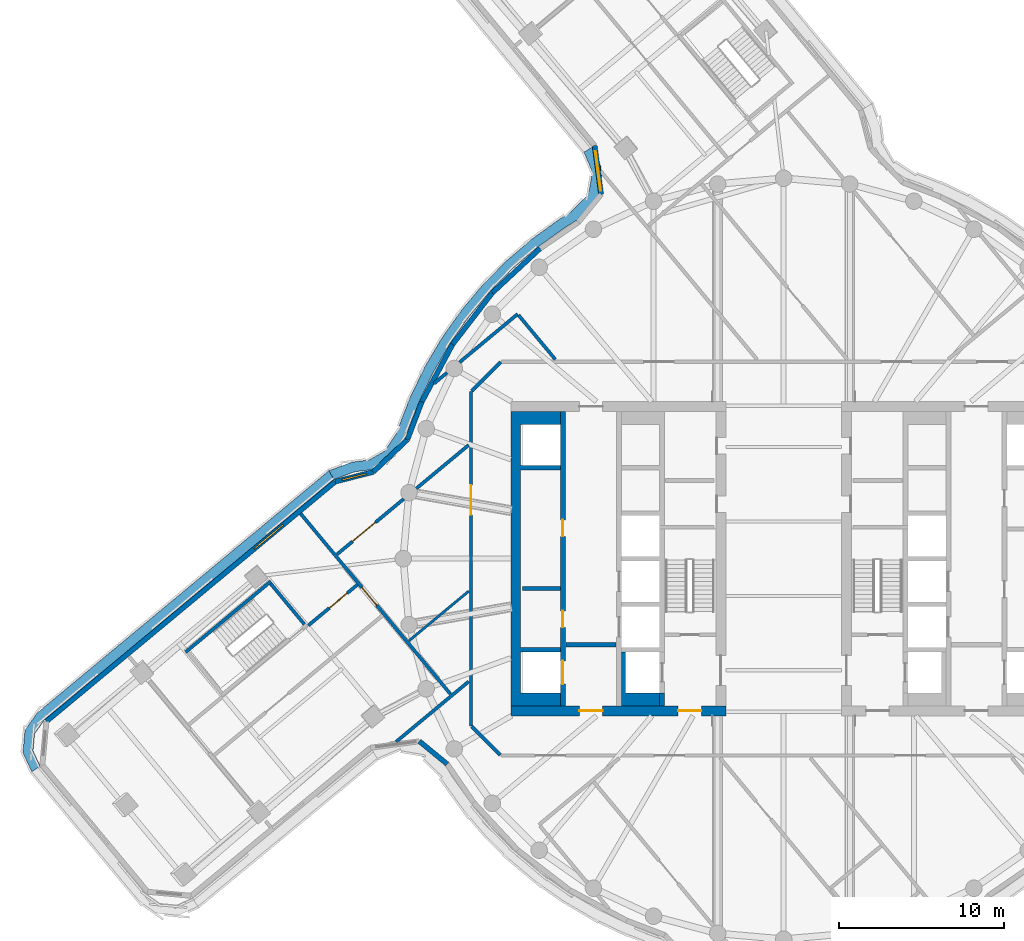
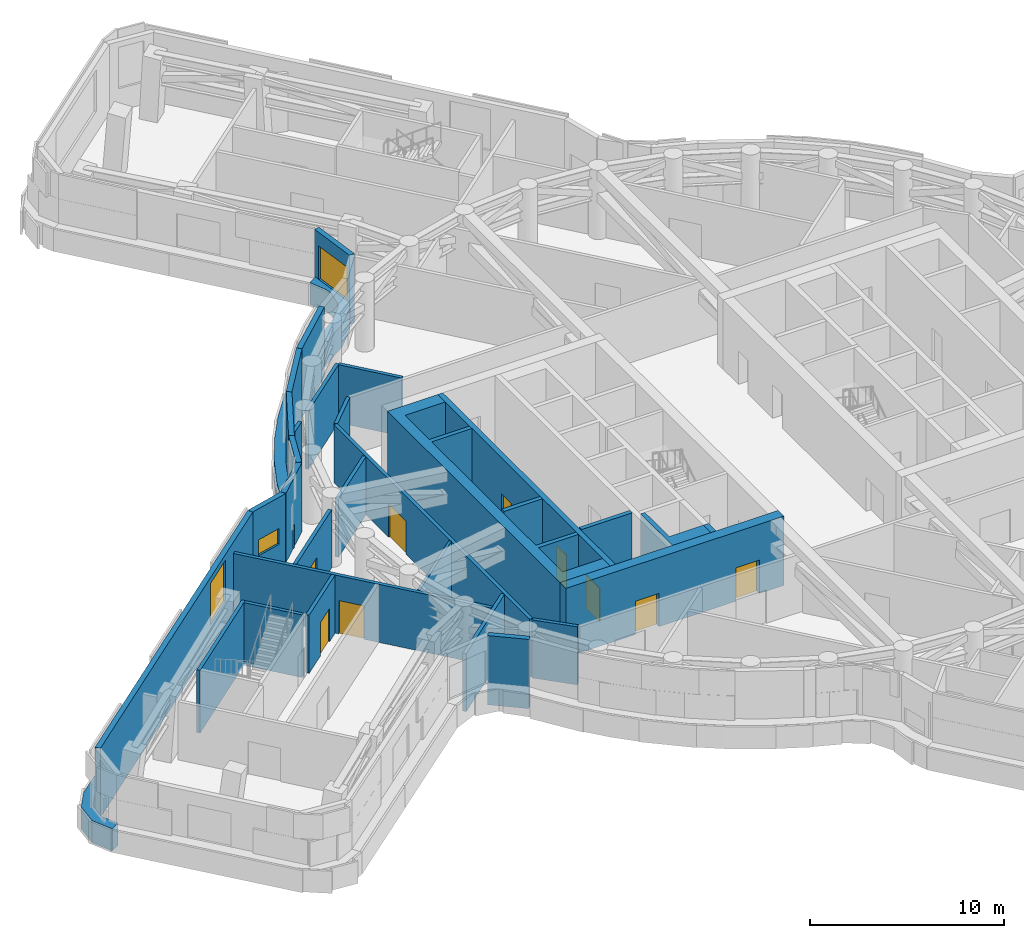
# One storey, part 9 of 22: 30 walls, 9 doors, 3 windows, 2 members, 12 openings.
"""IFC4 building model written with IfcOpenShell, lengths in metres."""

from ifc_helpers import new_model, si_unit, direction, frame, frame_2d, origin, place, context, subcontext, project, spatial, polyline, rectangle, outline, extrude, material, layer, layer_set, type_object, element, fill, aggregate, save


model = new_model("IFC4")

# Units and contexts
model_context = context("Model", 3, precision=1e-05, world=origin(), true_north=direction((0.0, 1.0)))
body_context = subcontext(model_context, "Body", "Model", "MODEL_VIEW")
ifc_project = project(units=[si_unit("LENGTHUNIT", "METRE"), si_unit("AREAUNIT", "SQUARE_METRE"), si_unit("VOLUMEUNIT", "CUBIC_METRE"), si_unit("PLANEANGLEUNIT", "RADIAN"), si_unit("MASSUNIT", "GRAM", prefix="KILO")], contexts=[model_context])

# Member
ifc_material_1 = material(Name="Aluminium and insulated spandrel panel", Category="aluminium")
member_type = type_object("IfcMemberType", Name="Floor-edge blade transom", PredefinedType="USERDEFINED", material=ifc_material_1)
site_placement = place(None, origin())
building_placement = place(site_placement, origin())
storey_placement = place(building_placement, frame((0.0, 0.0, 178.0)))
member_1_placement = place(storey_placement, origin())
member_1 = element("IfcMember", 1, at=member_1_placement, type_object=member_type, Name="CWT-L44-14", ObjectType="TRANSOM", PredefinedType="USERDEFINED", context=body_context, shape_type="SweptSolid", body=[
    extrude(outline(polyline([(-11.555419921875, 24.895263671875), (-11.05517578125, 23.729248046875), (-10.989990234375, 23.177490234375), (-11.180419921875, 22.070556640625), (-11.426025390625, 21.572021484375), (-12.508544921875, 20.46044921875), (-13.2109375, 20.031982421875), (-14.820068359375, 18.87255859375), (-16.327880859375, 17.584228515625), (-17.72412109375, 16.17578125), (-18.99951171875, 14.656982421875), (-20.14501953125, 13.0380859375), (-21.15283203125, 11.329833984375), (-22.01611328125, 9.54443359375), (-22.703857421875, 7.7724609375), (-22.8828125, 7.268798828125), (-23.691162109375, 6.056640625), (-24.85693359375, 5.391357421875), (-25.955322265625, 5.250732421875), (-27.18896484375, 4.7900390625), (-27.494140625, 5.316650390625), (-26.100341796875, 5.837158203125), (-25.051025390625, 5.971435546875), (-24.11181640625, 6.50732421875), (-23.42333984375, 7.539794921875), (-23.266357421875, 7.9814453125), (-22.566650390625, 9.783935546875), (-21.68212890625, 11.613525390625), (-20.64892578125, 13.3642578125), (-19.474853515625, 15.023681640625), (-18.167724609375, 16.580810546875), (-16.736572265625, 18.0244140625), (-15.19091796875, 19.344970703125), (-13.54296875, 20.5322265625), (-12.885498046875, 20.93310546875), (-11.922119140625, 21.922607421875), (-11.757080078125, 22.2578125), (-11.59619140625, 23.193359375), (-11.640869140625, 23.572509765625), (-12.072998046875, 24.57958984375), (-11.555419921875, 24.895263671875)])), origin(), (0.0, 0.0, 1.0), 1.39990234375),
])

member_2_placement = place(storey_placement, origin())
member_2 = element("IfcMember", 2, at=member_2_placement, type_object=member_type, Name="CWT-L44-15", ObjectType="TRANSOM", PredefinedType="USERDEFINED", context=body_context, shape_type="SweptSolid", body=[
    extrude(outline(polyline([(-27.18896484375, 4.7900390625), (-44.683349609375, -9.7353515625), (-45.281494140625, -10.580322265625), (-45.377197265625, -11.611083984375), (-44.9443359375, -12.5517578125), (-45.45654296875, -12.874267578125), (-45.989501953125, -11.7158203125), (-45.864013671875, -10.36474609375), (-45.12744140625, -9.32421875), (-27.494140625, 5.316650390625), (-27.18896484375, 4.7900390625)])), origin(), (0.0, 0.0, 1.0), 1.39990234375),
])

# Site, building, storey
site = spatial("IfcSite", under=ifc_project, at=site_placement, CompositionType="ELEMENT")
building = spatial("IfcBuilding", under=site, at=building_placement, Name="Tamarind Cross Interchange Tower", CompositionType="ELEMENT")
storey = spatial("IfcBuildingStorey", under=building, at=storey_placement, Name="L44", CompositionType="ELEMENT", Elevation=178.0)

# Wall, openings, doors
ifc_material_2 = material(Name="Concrete C60", Category="concrete")
ifc_layer_1 = layer(ifc_material_2, 0.60009765625)
ifc_layer_set_1 = layer_set([ifc_layer_1], Name="Concrete C60")
wall_type_1 = type_object("IfcWallType", Name="Core wall 600 mm Concrete C60", PredefinedType="SHEAR", material=ifc_layer_set_1)
wall_1_placement = place(storey_placement, frame((-16.5, -9.199951171875, 0.0), z_axis=(0.0, 0.0, 1.0), x_axis=(1.0, 0.0, 0.0)))
wall_1 = element("IfcWall", 3, at=wall_1_placement, inside=storey, type_object=wall_type_1, Name="Core wall CWL-L44-W-S", PredefinedType="SHEAR", context=body_context, shape_type="SweptSolid", body=[
    extrude(rectangle(XDim=13.0, YDim=0.60009765625, at=frame_2d((6.5, 0.0))), origin(), (0.0, 0.0, 1.0), 4.360107421875),
])
opening_1_placement = place(wall_1_placement, frame((4.14990234375, 0.0, 0.0)))
opening_1 = element("IfcOpeningElement", 4, at=opening_1_placement, cuts=wall_1, Name="Opening DCW1", PredefinedType="OPENING", context=body_context, shape_type="SweptSolid", body=[
    extrude(rectangle(XDim=1.39990234375, YDim=2.10009765625, at=frame_2d((0.699951171875, 1.050048828125))), frame((0.0, 0.31005859375, 0.0), z_axis=(0.0, -1.0, 0.0), x_axis=(1.0, 0.0, 0.0)), (0.0, 0.0, 1.0), 0.6201171875),
])
opening_2_placement = place(wall_1_placement, frame((10.125, 0.0, 0.0)))
opening_2 = element("IfcOpeningElement", 5, at=opening_2_placement, cuts=wall_1, Name="Opening DCWF", PredefinedType="OPENING", context=body_context, shape_type="SweptSolid", body=[
    extrude(rectangle(XDim=1.39990234375, YDim=2.10009765625, at=frame_2d((0.699951171875, 1.050048828125))), frame((0.0, 0.31005859375, 0.0), z_axis=(0.0, -1.0, 0.0), x_axis=(1.0, 0.0, 0.0)), (0.0, 0.0, 1.0), 0.6201171875),
])
ifc_material_3 = material(Name="Steel, fire-resisting", Category="steel")
door_type_1 = type_object("IfcDoorType", Name="Core fire door 1400 x 2100 FD90", OperationType="SINGLE_SWING_LEFT", PredefinedType="DOOR", material=ifc_material_3)
door_1_placement = place(opening_1_placement, origin())
door_1 = element("IfcDoor", 6, at=door_1_placement, inside=storey, type_object=door_type_1, Name="L44 lift lobby door", OperationType="SINGLE_SWING_LEFT", OverallHeight=2.10009765625, OverallWidth=1.39990234375, PredefinedType="DOOR", context=body_context, shape_type="SweptSolid", body=[
    extrude(rectangle(XDim=1.39990234375, YDim=2.10009765625, at=frame_2d((0.699951171875, 1.050048828125))), frame((0.0, 0.02490234375, 0.0), z_axis=(0.0, -1.0, 0.0), x_axis=(1.0, 0.0, 0.0)), (0.0, 0.0, 1.0), 0.050048828125),
])
fill(opening_1, door_1)
door_2_placement = place(opening_2_placement, origin())
door_2 = element("IfcDoor", 7, at=door_2_placement, inside=storey, type_object=door_type_1, Name="L44 firefighting lobby end door", OperationType="SINGLE_SWING_LEFT", OverallHeight=2.10009765625, OverallWidth=1.39990234375, PredefinedType="DOOR", context=body_context, shape_type="SweptSolid", body=[
    extrude(rectangle(XDim=1.39990234375, YDim=2.10009765625, at=frame_2d((0.699951171875, 1.050048828125))), frame((0.0, 0.02490234375, 0.0), z_axis=(0.0, -1.0, 0.0), x_axis=(1.0, 0.0, 0.0)), (0.0, 0.0, 1.0), 0.050048828125),
])
fill(opening_2, door_2)

# Walls
wall_2_placement = place(storey_placement, origin())
element("IfcWall", 8, at=wall_2_placement, inside=storey, type_object=wall_type_1, Name="Core wall CWL-L44-W-A", PredefinedType="SHEAR", context=body_context, shape_type="SweptSolid", body=[
    extrude(outline(polyline([(-13.5, -8.125), (-15.89990234375, -8.125), (-15.89990234375, -5.625), (-13.5, -5.625), (-13.5, -5.375), (-15.89990234375, -5.375), (-15.89990234375, 5.375), (-13.5, 5.375), (-13.5, 5.625), (-15.89990234375, 5.625), (-15.89990234375, 8.125), (-13.5, 8.125), (-13.5, 8.89990234375), (-15.89990234375, 8.89990234375), (-16.5, 8.89990234375), (-16.5, -8.89990234375), (-15.89990234375, -8.89990234375), (-13.5, -8.89990234375), (-13.5, -8.125)])), origin(), (0.0, 0.0, 1.0), 4.360107421875),
])
ifc_layer_2 = layer(ifc_material_2, 0.300048828125)
ifc_layer_set_2 = layer_set([ifc_layer_2], Name="Concrete C60")
wall_type_2 = type_object("IfcWallType", Name="Core web wall 300 mm Concrete C60", PredefinedType="SHEAR", material=ifc_layer_set_2)
wall_3_placement = place(storey_placement, origin())
element("IfcWall", 9, at=wall_3_placement, inside=storey, type_object=wall_type_2, Name="Core wall CWL-L44-W-BS", PredefinedType="SHEAR", context=body_context, shape_type="SweptSolid", body=[
    extrude(outline(polyline([(-7.5, -8.125), (-9.550048828125, -8.125), (-9.550048828125, -5.625), (-9.800048828125, -5.625), (-9.800048828125, -8.125), (-9.800048828125, -8.89990234375), (-7.5, -8.89990234375), (-7.5, -8.125)])), origin(), (0.0, 0.0, 1.0), 4.360107421875),
])
wall_4_placement = place(storey_placement, frame((-7.35009765625, -8.89990234375, 0.0), z_axis=(0.0, 0.0, 1.0), x_axis=(0.0, 1.0, 0.0)))
element("IfcWall", 10, at=wall_4_placement, inside=storey, type_object=wall_type_2, Name="Core wall CWL-L44-W-BW", PredefinedType="SHEAR", context=body_context, shape_type="SweptSolid", body=[
    extrude(rectangle(XDim=0.77490234375, YDim=0.300048828125, at=frame_2d((0.387451171875, 0.0))), origin(), (0.0, 0.0, 1.0), 4.360107421875),
])

# Wall, openings, doors
wall_5_placement = place(storey_placement, frame((-13.35009765625, -8.89990234375, 0.0), z_axis=(0.0, 0.0, 1.0), x_axis=(0.0, 1.0, 0.0)))
wall_5 = element("IfcWall", 11, at=wall_5_placement, inside=storey, type_object=wall_type_2, Name="Core wall CWL-L44-W-LA", PredefinedType="SHEAR", context=body_context, shape_type="SweptSolid", body=[
    extrude(rectangle(XDim=17.7998046875, YDim=0.300048828125, at=frame_2d((8.89990234375, 0.0))), origin(), (0.0, 0.0, 1.0), 4.360107421875),
])
opening_3_placement = place(wall_5_placement, frame((1.324951171875, 0.0, 0.0)))
opening_3 = element("IfcOpeningElement", 12, at=opening_3_placement, cuts=wall_5, Name="Opening LD1L44", PredefinedType="OPENING", context=body_context, shape_type="SweptSolid", body=[
    extrude(rectangle(XDim=1.39990234375, YDim=2.10009765625, at=frame_2d((0.699951171875, 1.050048828125))), frame((0.0, 0.159912109375, 0.0), z_axis=(0.0, -1.0, 0.0), x_axis=(1.0, 0.0, 0.0)), (0.0, 0.0, 1.0), 0.320068359375),
])
opening_4_placement = place(wall_5_placement, frame((4.75390625, 0.0, 0.0)))
opening_4 = element("IfcOpeningElement", 13, at=opening_4_placement, cuts=wall_5, Name="Opening DCW9", PredefinedType="OPENING", context=body_context, shape_type="SweptSolid", body=[
    extrude(rectangle(XDim=1.0, YDim=2.10009765625, at=frame_2d((0.5, 1.050048828125))), frame((0.0, 0.159912109375, 0.0), z_axis=(0.0, -1.0, 0.0), x_axis=(1.0, 0.0, 0.0)), (0.0, 0.0, 1.0), 0.320068359375),
])
opening_5_placement = place(wall_5_placement, frame((10.25390625, 0.0, 0.0)))
opening_5 = element("IfcOpeningElement", 14, at=opening_5_placement, cuts=wall_5, Name="Opening DCW10", PredefinedType="OPENING", context=body_context, shape_type="SweptSolid", body=[
    extrude(rectangle(XDim=1.0, YDim=2.10009765625, at=frame_2d((0.5, 1.050048828125))), frame((0.0, 0.159912109375, 0.0), z_axis=(0.0, -1.0, 0.0), x_axis=(1.0, 0.0, 0.0)), (0.0, 0.0, 1.0), 0.320068359375),
])
door_type_2 = type_object("IfcDoorType", Name="Core fire door 1000 x 2100 FD90", OperationType="SINGLE_SWING_LEFT", PredefinedType="DOOR", material=ifc_material_3)
door_3_placement = place(opening_4_placement, origin())
door_3 = element("IfcDoor", 15, at=door_3_placement, inside=storey, type_object=door_type_2, Name="L44 Refuge battery room door", OperationType="SINGLE_SWING_LEFT", OverallHeight=2.10009765625, OverallWidth=1.0, PredefinedType="DOOR", context=body_context, shape_type="SweptSolid", body=[
    extrude(rectangle(XDim=1.0, YDim=2.10009765625, at=frame_2d((0.5, 1.050048828125))), frame((0.0, 0.02490234375, 0.0), z_axis=(0.0, -1.0, 0.0), x_axis=(1.0, 0.0, 0.0)), (0.0, 0.0, 1.0), 0.050048828125),
])
fill(opening_4, door_3)
door_4_placement = place(opening_5_placement, origin())
door_4 = element("IfcDoor", 16, at=door_4_placement, inside=storey, type_object=door_type_2, Name="L44 Refuge switch room door", OperationType="SINGLE_SWING_LEFT", OverallHeight=2.10009765625, OverallWidth=1.0, PredefinedType="DOOR", context=body_context, shape_type="SweptSolid", body=[
    extrude(rectangle(XDim=1.0, YDim=2.10009765625, at=frame_2d((0.5, 1.050048828125))), frame((0.0, 0.02490234375, 0.0), z_axis=(0.0, -1.0, 0.0), x_axis=(1.0, 0.0, 0.0)), (0.0, 0.0, 1.0), 0.050048828125),
])
fill(opening_5, door_4)
ifc_material_4 = material(Name="Stainless steel panel", Category="steel")
door_type_3 = type_object("IfcDoorType", Name="Lift landing door 1400 x 2100 E 120", OperationType="SLIDING_TO_LEFT", PredefinedType="DOOR", material=ifc_material_4)
door_5_placement = place(opening_3_placement, origin())
door_5 = element("IfcDoor", 17, at=door_5_placement, inside=storey, type_object=door_type_3, Name="L44 landing door LF1", OperationType="SLIDING_TO_LEFT", OverallHeight=2.10009765625, OverallWidth=1.39990234375, PredefinedType="DOOR", context=body_context, shape_type="SweptSolid", body=[
    extrude(rectangle(XDim=1.39990234375, YDim=2.10009765625, at=frame_2d((0.699951171875, 1.050048828125))), frame((0.0, 0.02490234375, 0.0), z_axis=(0.0, -1.0, 0.0), x_axis=(1.0, 0.0, 0.0)), (0.0, 0.0, 1.0), 0.050048828125),
])
fill(opening_3, door_5)

# Wall
ifc_material_5 = material(Name="Gypsum board partition on steel studs", Category="steel")
ifc_layer_3 = layer(ifc_material_5, 0.14990234375)
ifc_layer_set_3 = layer_set([ifc_layer_3], Name="Gypsum board partition on steel studs")
wall_type_3 = type_object("IfcWallType", Name="Partition 150 mm EI 120", PredefinedType="PARTITIONING", material=ifc_layer_set_3)
wall_6_placement = place(storey_placement, frame((-22.65966796875, -4.96630859375, 0.0), z_axis=(0.0, 0.0, 1.0), x_axis=(0.769407964323, 0.638757688358, 0.0)))
element("IfcWall", 18, at=wall_6_placement, inside=storey, type_object=wall_type_3, Name="Partition L44-044", PredefinedType="PARTITIONING", context=body_context, shape_type="SweptSolid", body=[
    extrude(rectangle(XDim=4.716552734375, YDim=0.14990234375, at=frame_2d((2.3583984375, 0.0))), origin(), (0.0, 0.0, 1.0), 3.659912109375),
])

# Wall, opening, door
ifc_layer_4 = layer(ifc_material_5, 0.199951171875)
ifc_layer_set_4 = layer_set([ifc_layer_4], Name="Gypsum board partition on steel studs")
wall_type_4 = type_object("IfcWallType", Name="Partition 200 mm EI 180", PredefinedType="PARTITIONING", material=ifc_layer_set_4)
wall_7_placement = place(storey_placement, frame((-29.203369140625, 2.726318359375, 0.0), z_axis=(0.0, 0.0, 1.0), x_axis=(0.638906529765, -0.769284372793, 0.0)))
wall_7 = element("IfcWall", 19, at=wall_7_placement, inside=storey, type_object=wall_type_4, Name="Partition L44-004", PredefinedType="PARTITIONING", context=body_context, shape_type="SweptSolid", body=[
    extrude(rectangle(XDim=14.178955078125, YDim=0.199951171875, at=frame_2d((7.08935546875, 0.0))), origin(), (0.0, 0.0, 1.0), 3.659912109375),
])
opening_6_placement = place(wall_7_placement, frame((5.799072265625, 0.0, 0.0)))
opening_6 = element("IfcOpeningElement", 20, at=opening_6_placement, cuts=wall_7, Name="Opening D02", PredefinedType="OPENING", context=body_context, shape_type="SweptSolid", body=[
    extrude(rectangle(XDim=1.39990234375, YDim=2.10009765625, at=frame_2d((0.699951171875, 1.050048828125))), frame((0.0, 0.10986328125, 0.0), z_axis=(0.0, -1.0, 0.0), x_axis=(1.0, 0.0, 0.0)), (0.0, 0.0, 1.0), 0.219970703125),
])
ifc_material_6 = material(Name="Fire-resisting door set")
door_type_4 = type_object("IfcDoorType", Name="Interior door 1400 x 2100 FD120S", OperationType="DOUBLE_DOOR_SINGLE_SWING", PredefinedType="DOOR", material=ifc_material_6)
door_6_placement = place(opening_6_placement, origin())
door_6 = element("IfcDoor", 21, at=door_6_placement, inside=storey, type_object=door_type_4, Name="Door D02", OperationType="DOUBLE_DOOR_SINGLE_SWING", OverallHeight=2.10009765625, OverallWidth=1.39990234375, PredefinedType="DOOR", context=body_context, shape_type="SweptSolid", body=[
    extrude(rectangle(XDim=1.39990234375, YDim=2.10009765625, at=frame_2d((0.699951171875, 1.050048828125))), frame((0.0, 0.02490234375, 0.0), z_axis=(0.0, -1.0, 0.0), x_axis=(1.0, 0.0, 0.0)), (0.0, 0.0, 1.0), 0.050048828125),
])
fill(opening_6, door_6)

# Walls
wall_8_placement = place(storey_placement, frame((-16.032958984375, 14.728515625, 0.0), z_axis=(0.0, 0.0, 1.0), x_axis=(0.638867992046, -0.769316377532, 0.0)))
element("IfcWall", 22, at=wall_8_placement, inside=storey, type_object=wall_type_4, Name="Partition L44-005", PredefinedType="PARTITIONING", context=body_context, shape_type="SweptSolid", body=[
    extrude(rectangle(XDim=3.48681640625, YDim=0.199951171875, at=frame_2d((1.743408203125, 0.0))), origin(), (0.0, 0.0, 1.0), 3.659912109375),
])
wall_9_placement = place(storey_placement, frame((-18.857666015625, -10.142333984375, 0.0), z_axis=(0.0, 0.0, 1.0), x_axis=(0.707106781187, -0.707106781187, 0.0)))
element("IfcWall", 23, at=wall_9_placement, inside=storey, type_object=wall_type_4, Name="Partition L44-032", PredefinedType="PARTITIONING", context=body_context, shape_type="SweptSolid", body=[
    extrude(rectangle(XDim=2.42578125, YDim=0.199951171875, at=frame_2d((1.212890625, 0.0))), origin(), (0.0, 0.0, 1.0), 3.659912109375),
])

# Wall, opening, door
wall_10_placement = place(storey_placement, frame((-28.736328125, -4.033203125, 0.0), z_axis=(0.0, 0.0, 1.0), x_axis=(0.769396979423, 0.638770919857, 0.0)))
wall_10 = element("IfcWall", 24, at=wall_10_placement, inside=storey, type_object=wall_type_4, Name="Partition L44-037", PredefinedType="PARTITIONING", context=body_context, shape_type="SweptSolid", body=[
    extrude(rectangle(XDim=3.859375, YDim=0.199951171875, at=frame_2d((1.9296875, 0.0))), origin(), (0.0, 0.0, 1.0), 3.659912109375),
])
opening_7_placement = place(wall_10_placement, frame((1.64990234375, 0.0, 0.0)))
opening_7 = element("IfcOpeningElement", 25, at=opening_7_placement, cuts=wall_10, Name="Opening D23", PredefinedType="OPENING", context=body_context, shape_type="SweptSolid", body=[
    extrude(rectangle(XDim=1.39990234375, YDim=2.10009765625, at=frame_2d((0.699951171875, 1.050048828125))), frame((0.0, 0.10986328125, 0.0), z_axis=(0.0, -1.0, 0.0), x_axis=(1.0, 0.0, 0.0)), (0.0, 0.0, 1.0), 0.219970703125),
])
door_7_placement = place(opening_7_placement, origin())
door_7 = element("IfcDoor", 26, at=door_7_placement, inside=storey, type_object=door_type_4, Name="Door D23", OperationType="DOUBLE_DOOR_SINGLE_SWING", OverallHeight=2.10009765625, OverallWidth=1.39990234375, PredefinedType="DOOR", context=body_context, shape_type="SweptSolid", body=[
    extrude(rectangle(XDim=1.39990234375, YDim=2.10009765625, at=frame_2d((0.699951171875, 1.050048828125))), frame((0.0, 0.02490234375, 0.0), z_axis=(0.0, -1.0, 0.0), x_axis=(1.0, 0.0, 0.0)), (0.0, 0.0, 1.0), 0.050048828125),
])
fill(opening_7, door_7)

wall_11_placement = place(storey_placement, frame((-27.003662109375, 0.2646484375, 0.0), z_axis=(0.0, 0.0, 1.0), x_axis=(0.769372329346, 0.638800609609, 0.0)))
wall_11 = element("IfcWall", 27, at=wall_11_placement, inside=storey, type_object=wall_type_4, Name="Partition L44-039", PredefinedType="PARTITIONING", context=body_context, shape_type="SweptSolid", body=[
    extrude(rectangle(XDim=5.24462890625, YDim=0.199951171875, at=frame_2d((2.622314453125, 0.0))), origin(), (0.0, 0.0, 1.0), 3.659912109375),
])
opening_8_placement = place(wall_11_placement, frame((1.22998046875, 0.0, 0.0)))
opening_8 = element("IfcOpeningElement", 28, at=opening_8_placement, cuts=wall_11, Name="Opening D25", PredefinedType="OPENING", context=body_context, shape_type="SweptSolid", body=[
    extrude(rectangle(XDim=1.800048828125, YDim=2.10009765625, at=frame_2d((0.89990234375, 1.050048828125))), frame((0.0, 0.10986328125, 0.0), z_axis=(0.0, -1.0, 0.0), x_axis=(1.0, 0.0, 0.0)), (0.0, 0.0, 1.0), 0.219970703125),
])
door_type_5 = type_object("IfcDoorType", Name="Interior door 1800 x 2100 FD120S", OperationType="DOUBLE_DOOR_SINGLE_SWING", PredefinedType="DOOR", material=ifc_material_6)
door_8_placement = place(opening_8_placement, origin())
door_8 = element("IfcDoor", 29, at=door_8_placement, inside=storey, type_object=door_type_5, Name="Door D25", OperationType="DOUBLE_DOOR_SINGLE_SWING", OverallHeight=2.10009765625, OverallWidth=1.800048828125, PredefinedType="DOOR", context=body_context, shape_type="SweptSolid", body=[
    extrude(rectangle(XDim=1.800048828125, YDim=2.10009765625, at=frame_2d((0.89990234375, 1.050048828125))), frame((0.0, 0.02490234375, 0.0), z_axis=(0.0, -1.0, 0.0), x_axis=(1.0, 0.0, 0.0)), (0.0, 0.0, 1.0), 0.050048828125),
])
fill(opening_8, door_8)

# Walls
wall_12_placement = place(storey_placement, frame((-22.208251953125, 4.246337890625, 0.0), z_axis=(0.0, 0.0, 1.0), x_axis=(0.7693983164, 0.63876930947, 0.0)))
element("IfcWall", 30, at=wall_12_placement, inside=storey, type_object=wall_type_4, Name="Partition L44-040", PredefinedType="PARTITIONING", context=body_context, shape_type="SweptSolid", body=[
    extrude(rectangle(XDim=4.10986328125, YDim=0.199951171875, at=frame_2d((2.054931640625, 0.0))), origin(), (0.0, 0.0, 1.0), 3.659912109375),
])
wall_13_placement = place(storey_placement, frame((-23.43701171875, -11.071044921875, 0.0), z_axis=(0.0, 0.0, 1.0), x_axis=(0.76936664452, 0.638807456359, 0.0)))
element("IfcWall", 31, at=wall_13_placement, inside=storey, type_object=wall_type_4, Name="Partition L44-041", PredefinedType="PARTITIONING", context=body_context, shape_type="SweptSolid", body=[
    extrude(rectangle(XDim=5.70703125, YDim=0.199951171875, at=frame_2d((2.853515625, 0.0))), origin(), (0.0, 0.0, 1.0), 3.659912109375),
])
wall_14_placement = place(storey_placement, frame((-21.14453125, 10.5888671875, 0.0), z_axis=(0.0, 0.0, 1.0), x_axis=(0.769471849362, 0.638680728565, 0.0)))
element("IfcWall", 32, at=wall_14_placement, inside=storey, type_object=wall_type_4, Name="Partition L44-042", PredefinedType="PARTITIONING", context=body_context, shape_type="SweptSolid", body=[
    extrude(rectangle(XDim=1.02294921875, YDim=0.199951171875, at=frame_2d((0.511474609375, 0.0))), origin(), (0.0, 0.0, 1.0), 3.659912109375),
])
wall_15_placement = place(storey_placement, frame((-19.59619140625, 11.874267578125, 0.0), z_axis=(0.0, 0.0, 1.0), x_axis=(0.769412364041, 0.638752388693, 0.0)))
element("IfcWall", 33, at=wall_15_placement, inside=storey, type_object=wall_type_4, Name="Partition L44-043", PredefinedType="PARTITIONING", context=body_context, shape_type="SweptSolid", body=[
    extrude(rectangle(XDim=4.564697265625, YDim=0.199951171875, at=frame_2d((2.2822265625, 0.0))), origin(), (0.0, 0.0, 1.0), 3.659912109375),
])
wall_16_placement = place(storey_placement, frame((-18.857666015625, 10.142333984375, 0.0), z_axis=(0.0, 0.0, 1.0), x_axis=(0.707106781187, 0.707106781187, 0.0)))
element("IfcWall", 34, at=wall_16_placement, inside=storey, type_object=wall_type_4, Name="Partition L44-068", PredefinedType="PARTITIONING", context=body_context, shape_type="SweptSolid", body=[
    extrude(rectangle(XDim=2.485595703125, YDim=0.199951171875, at=frame_2d((1.24267578125, 0.0))), origin(), (0.0, 0.0, 1.0), 3.659912109375),
])

# Wall, opening, door
wall_17_placement = place(storey_placement, frame((-18.89990234375, -10.10009765625, 0.0), z_axis=(0.0, 0.0, 1.0), x_axis=(0.0, 1.0, 0.0)))
wall_17 = element("IfcWall", 35, at=wall_17_placement, inside=storey, type_object=wall_type_4, Name="Partition L44-070", PredefinedType="PARTITIONING", context=body_context, shape_type="SweptSolid", body=[
    extrude(rectangle(XDim=20.2001953125, YDim=0.199951171875, at=frame_2d((10.10009765625, 0.0))), origin(), (0.0, 0.0, 1.0), 3.659912109375),
])
opening_9_placement = place(wall_17_placement, frame((12.7548828125, 0.0, 0.0)))
opening_9 = element("IfcOpeningElement", 36, at=opening_9_placement, cuts=wall_17, Name="Opening D34", PredefinedType="OPENING", context=body_context, shape_type="SweptSolid", body=[
    extrude(rectangle(XDim=1.800048828125, YDim=2.10009765625, at=frame_2d((0.89990234375, 1.050048828125))), frame((0.0, 0.10986328125, 0.0), z_axis=(0.0, -1.0, 0.0), x_axis=(1.0, 0.0, 0.0)), (0.0, 0.0, 1.0), 0.219970703125),
])
door_9_placement = place(opening_9_placement, frame((1.800048828125, 0.0, 0.0), z_axis=(0.0, 0.0, 1.0), x_axis=(-1.0, 0.0, 0.0)))
door_9 = element("IfcDoor", 37, at=door_9_placement, inside=storey, type_object=door_type_5, Name="Door D34", OperationType="DOUBLE_DOOR_SINGLE_SWING", OverallHeight=2.10009765625, OverallWidth=1.800048828125, PredefinedType="DOOR", context=body_context, shape_type="SweptSolid", body=[
    extrude(rectangle(XDim=1.800048828125, YDim=2.10009765625, at=frame_2d((0.89990234375, 1.050048828125))), frame((0.0, 0.02490234375, 0.0), z_axis=(0.0, -1.0, 0.0), x_axis=(1.0, 0.0, 0.0)), (0.0, 0.0, 1.0), 0.050048828125),
])
fill(opening_9, door_9)

# Wall
ifc_material_7 = material(Name="Precast concrete C40", Category="concrete")
ifc_layer_5 = layer(ifc_material_7, 0.300048828125)
ifc_layer_set_5 = layer_set([ifc_layer_5], Name="Precast concrete C40")
wall_type_5 = type_object("IfcWallType", Name="Plant louvre wall", PredefinedType="SOLIDWALL", material=ifc_layer_set_5)
wall_18_placement = place(storey_placement, frame((-22.023681640625, -11.0361328125, 0.0), z_axis=(0.0, 0.0, 1.0), x_axis=(0.773396617802, -0.633922449178, 0.0)))
element("IfcWall", 38, at=wall_18_placement, inside=storey, type_object=wall_type_5, Name="EXW-L44-02-01", PredefinedType="SOLIDWALL", context=body_context, shape_type="SweptSolid", body=[
    extrude(rectangle(XDim=2.174072265625, YDim=0.300048828125, at=frame_2d((1.0869140625, 0.0))), origin(), (0.0, 0.0, 1.0), 4.360107421875),
])

# Wall, opening, window
wall_19_placement = place(storey_placement, frame((-11.426025390625, 24.97412109375, 0.0), z_axis=(0.0, 0.0, 1.0), x_axis=(0.131008347573, -0.991381265138, 0.0)))
wall_19 = element("IfcWall", 39, at=wall_19_placement, inside=storey, type_object=wall_type_5, Name="EXW-L44-14-00", PredefinedType="SOLIDWALL", context=body_context, shape_type="SweptSolid", body=[
    extrude(rectangle(XDim=2.97607421875, YDim=0.300048828125, at=frame_2d((1.488037109375, 0.0))), origin(), (0.0, 0.0, 1.0), 4.360107421875),
])
opening_10_placement = place(wall_19_placement, frame((0.35009765625, 0.0, 1.39990234375)))
opening_10 = element("IfcOpeningElement", 40, at=opening_10_placement, cuts=wall_19, Name="Opening W3", PredefinedType="OPENING", context=body_context, shape_type="SweptSolid", body=[
    extrude(rectangle(XDim=2.39990234375, YDim=2.10009765625, at=frame_2d((1.199951171875, 1.050048828125))), frame((0.0, 0.159912109375, 0.0), z_axis=(0.0, -1.0, 0.0), x_axis=(1.0, 0.0, 0.0)), (0.0, 0.0, 1.0), 0.320068359375),
])
ifc_material_8 = material(Name="Aluminium and fire-resisting glass", Category="aluminium")
window_type_1 = type_object("IfcWindowType", Name="Refuge rescue window", PartitioningType="DOUBLE_PANEL_VERTICAL", PredefinedType="WINDOW", material=ifc_material_8)
window_1_placement = place(opening_10_placement, origin())
window_1 = element("IfcWindow", 41, at=window_1_placement, inside=storey, type_object=window_type_1, Name="RSW-L44-14-01", OverallHeight=2.10009765625, OverallWidth=2.39990234375, PartitioningType="SINGLE_PANEL", PredefinedType="WINDOW", context=body_context, shape_type="SweptSolid", body=[
    extrude(rectangle(XDim=2.39990234375, YDim=2.10009765625, at=frame_2d((1.199951171875, 1.050048828125))), frame((0.0, 0.030029296875, 0.0), z_axis=(0.0, -1.0, 0.0), x_axis=(1.0, 0.0, 0.0)), (0.0, 0.0, 1.0), 0.06005859375),
])
fill(opening_10, window_1)

aggregate(wall_19, [member_1])

# Walls
wall_20_placement = place(storey_placement, frame((-14.727294921875, 18.75439453125, 0.0), z_axis=(0.0, 0.0, 1.0), x_axis=(-0.732813362883, -0.680429698926, 0.0)))
element("IfcWall", 42, at=wall_20_placement, inside=storey, type_object=wall_type_5, Name="EXW-L44-14-03", PredefinedType="SOLIDWALL", context=body_context, shape_type="SweptSolid", body=[
    extrude(rectangle(XDim=3.938232421875, YDim=0.300048828125, at=frame_2d((1.96923828125, 0.0))), origin(), (0.0, 0.0, 1.0), 4.360107421875),
])
for number, where, z_axis, x_axis, name in (
    (43, (-17.61328125, 16.07470703125, 0.0), (0.0, 0.0, 1.0), (-0.610785688376, -0.79179596038, 0.0), "EXW-L44-14-04"),
    (44, (-20.018798828125, 12.956298828125, 0.0), (0.0, 0.0, 1.0), (-0.472180126088, -0.881502086513, 0.0), "EXW-L44-14-05"),
):
    element("IfcWall", number, at=place(storey_placement, frame(where, z_axis=z_axis, x_axis=x_axis)), inside=storey, type_object=wall_type_5, Name=name, PredefinedType="SOLIDWALL", context=body_context, shape_type="SweptSolid", body=[
        extrude(rectangle(XDim=3.9384765625, YDim=0.300048828125, at=frame_2d((1.96923828125, 0.0))), origin(), (0.0, 0.0, 1.0), 4.360107421875),
    ])
wall_21_placement = place(storey_placement, frame((-21.87841796875, 9.484619140625, 0.0), z_axis=(0.0, 0.0, 1.0), x_axis=(-0.355729376875, -0.934589006156, 0.0)))
element("IfcWall", 45, at=wall_21_placement, inside=storey, type_object=wall_type_5, Name="EXW-L44-14-06", PredefinedType="SOLIDWALL", context=body_context, shape_type="SweptSolid", body=[
    extrude(rectangle(XDim=2.443359375, YDim=0.300048828125, at=frame_2d((1.2216796875, 0.0))), origin(), (0.0, 0.0, 1.0), 4.360107421875),
])
wall_22_placement = place(storey_placement, frame((-22.74755859375, 7.201171875, 0.0), z_axis=(0.0, 0.0, 1.0), x_axis=(-0.725512114768, -0.68820939497, 0.0)))
element("IfcWall", 46, at=wall_22_placement, inside=storey, type_object=wall_type_5, Name="EXW-L44-14-07", PredefinedType="SOLIDWALL", context=body_context, shape_type="SweptSolid", body=[
    extrude(rectangle(XDim=2.840576171875, YDim=0.300048828125, at=frame_2d((1.42041015625, 0.0))), origin(), (0.0, 0.0, 1.0), 4.360107421875),
])

# Wall, opening, window
wall_23_placement = place(storey_placement, frame((-24.808349609375, 5.246337890625, 0.0), z_axis=(0.0, 0.0, 1.0), x_axis=(-0.968959583325, -0.247219185913, 0.0)))
wall_23 = element("IfcWall", 47, at=wall_23_placement, inside=storey, type_object=wall_type_5, Name="EXW-L44-14-08", PredefinedType="SOLIDWALL", context=body_context, shape_type="SweptSolid", body=[
    extrude(rectangle(XDim=2.3779296875, YDim=0.300048828125, at=frame_2d((1.18896484375, 0.0))), origin(), (0.0, 0.0, 1.0), 4.360107421875),
])
opening_11_placement = place(wall_23_placement, frame((0.449951171875, 0.0, 1.39990234375)))
opening_11 = element("IfcOpeningElement", 48, at=opening_11_placement, cuts=wall_23, Name="Opening W5", PredefinedType="OPENING", context=body_context, shape_type="SweptSolid", body=[
    extrude(rectangle(XDim=1.5, YDim=1.0, at=frame_2d((0.75, 0.5))), frame((0.0, 0.159912109375, 0.0), z_axis=(0.0, -1.0, 0.0), x_axis=(1.0, 0.0, 0.0)), (0.0, 0.0, 1.0), 0.320068359375),
])
window_type_2 = type_object("IfcWindowType", Name="Refuge opening window", PartitioningType="DOUBLE_PANEL_VERTICAL", PredefinedType="WINDOW", material=ifc_material_8)
window_2_placement = place(opening_11_placement, origin())
window_2 = element("IfcWindow", 49, at=window_2_placement, inside=storey, type_object=window_type_2, Name="RSW-L44-14-00", OverallHeight=1.0, OverallWidth=1.5, PartitioningType="SINGLE_PANEL", PredefinedType="WINDOW", context=body_context, shape_type="SweptSolid", body=[
    extrude(rectangle(XDim=1.5, YDim=1.0, at=frame_2d((0.75, 0.5))), frame((0.0, 0.030029296875, 0.0), z_axis=(0.0, -1.0, 0.0), x_axis=(1.0, 0.0, 0.0)), (0.0, 0.0, 1.0), 0.06005859375),
])
fill(opening_11, window_2)

wall_24_placement = place(storey_placement, frame((-27.112548828125, 4.658447265625, 0.0), z_axis=(0.0, 0.0, 1.0), x_axis=(-0.769372572794, -0.6388003164, 0.0)))
wall_24 = element("IfcWall", 50, at=wall_24_placement, inside=storey, type_object=wall_type_5, Name="EXW-L44-15-00", PredefinedType="SOLIDWALL", context=body_context, shape_type="SweptSolid", body=[
    extrude(rectangle(XDim=22.693359375, YDim=0.300048828125, at=frame_2d((11.3466796875, 0.0))), origin(), (0.0, 0.0, 1.0), 4.360107421875),
])
opening_12_placement = place(wall_24_placement, frame((4.0927734375, 0.0, 1.39990234375)))
opening_12 = element("IfcOpeningElement", 51, at=opening_12_placement, cuts=wall_24, Name="Opening W2", PredefinedType="OPENING", context=body_context, shape_type="SweptSolid", body=[
    extrude(rectangle(XDim=2.260986328125, YDim=2.60009765625, at=frame_2d((1.13037109375, 1.300048828125))), frame((0.0, 0.159912109375, 0.0), z_axis=(0.0, -1.0, 0.0), x_axis=(1.0, 0.0, 0.0)), (0.0, 0.0, 1.0), 0.320068359375),
])
ifc_material_9 = material(Name="Aluminium louvre", Category="aluminium")
window_type_3 = type_object("IfcWindowType", Name="Plant louvre bank", PartitioningType="SINGLE_PANEL", PredefinedType="WINDOW", material=ifc_material_9)
window_3_placement = place(opening_12_placement, origin())
window_3 = element("IfcWindow", 52, at=window_3_placement, inside=storey, type_object=window_type_3, Name="WIN-L44-15-00", OverallHeight=2.60009765625, OverallWidth=2.260986328125, PartitioningType="SINGLE_PANEL", PredefinedType="WINDOW", context=body_context, shape_type="SweptSolid", body=[
    extrude(rectangle(XDim=2.260986328125, YDim=2.60009765625, at=frame_2d((1.13037109375, 1.300048828125))), frame((0.0, 0.030029296875, 0.0), z_axis=(0.0, -1.0, 0.0), x_axis=(1.0, 0.0, 0.0)), (0.0, 0.0, 1.0), 0.06005859375),
])
fill(opening_12, window_3)

aggregate(wall_24, [member_2])

# Walls
ifc_material_10 = material(Name="Concrete C40", Category="concrete")
ifc_layer_6 = layer(ifc_material_10, 0.25)
ifc_layer_set_6 = layer_set([ifc_layer_6], Name="Concrete C40")
wall_type_6 = type_object("IfcWallType", Name="Shaft and lobby wall 250 mm Concrete C40", PredefinedType="PARTITIONING", material=ifc_layer_set_6)
wall_25_placement = place(storey_placement, frame((-13.14990234375, -5.199951171875, 0.0), z_axis=(0.0, 0.0, 1.0), x_axis=(1.0, 0.0, 0.0)))
element("IfcWall", 53, at=wall_25_placement, inside=storey, type_object=wall_type_6, Name="Shaft wall CWL-L44-W-EVP", PredefinedType="PARTITIONING", context=body_context, shape_type="SweptSolid", body=[
    extrude(rectangle(XDim=3.0, YDim=0.25, at=frame_2d((1.5, 0.0))), origin(), (0.0, 0.0, 1.0), 4.360107421875),
])
wall_26_placement = place(storey_placement, frame((-15.800048828125, -1.7919921875, 0.0), z_axis=(0.0, 0.0, 1.0), x_axis=(1.0, 0.0, 0.0)))
element("IfcWall", 54, at=wall_26_placement, inside=storey, type_object=wall_type_6, Name="Shaft wall CWL-L44-W-FPA1", PredefinedType="PARTITIONING", context=body_context, shape_type="SweptSolid", body=[
    extrude(rectangle(XDim=2.300048828125, YDim=0.25, at=frame_2d((1.14990234375, 0.0))), origin(), (0.0, 0.0, 1.0), 4.360107421875),
])
ifc_layer_7 = layer(ifc_material_10, 0.199951171875)
ifc_layer_set_7 = layer_set([ifc_layer_7], Name="Concrete C40")
wall_type_7 = type_object("IfcWallType", Name="Stair shaft wall 200 mm Concrete C40", PredefinedType="SHEAR", material=ifc_layer_set_7)
wall_27_placement = place(storey_placement, frame((-31.00341796875, -1.36669921875, -0.179931640625), z_axis=(0.0, 0.0, 1.0), x_axis=(-0.76938487904, -0.638785494438, 0.0)))
element("IfcWall", 55, at=wall_27_placement, inside=storey, type_object=wall_type_7, Name="Core wall CWL-L44-ST5-C", PredefinedType="SHEAR", context=body_context, shape_type="SweptSolid", body=[
    extrude(rectangle(XDim=6.699951171875, YDim=0.199951171875, at=frame_2d((3.35009765625, 0.0))), origin(), (0.0, 0.0, 1.0), 3.94384765625),
])
wall_28_placement = place(storey_placement, frame((-31.0166015625, -1.50732421875, -0.179931640625), z_axis=(0.0, 0.0, 1.0), x_axis=(0.638780087326, -0.769389368289, 0.0)))
element("IfcWall", 56, at=wall_28_placement, inside=storey, type_object=wall_type_7, Name="Core wall CWL-L44-ST5-CE", PredefinedType="SHEAR", context=body_context, shape_type="SweptSolid", body=[
    extrude(rectangle(XDim=3.2001953125, YDim=0.199951171875, at=frame_2d((1.60009765625, 0.0))), origin(), (0.0, 0.0, 1.0), 3.94384765625),
])

save(model, "model.ifc")
